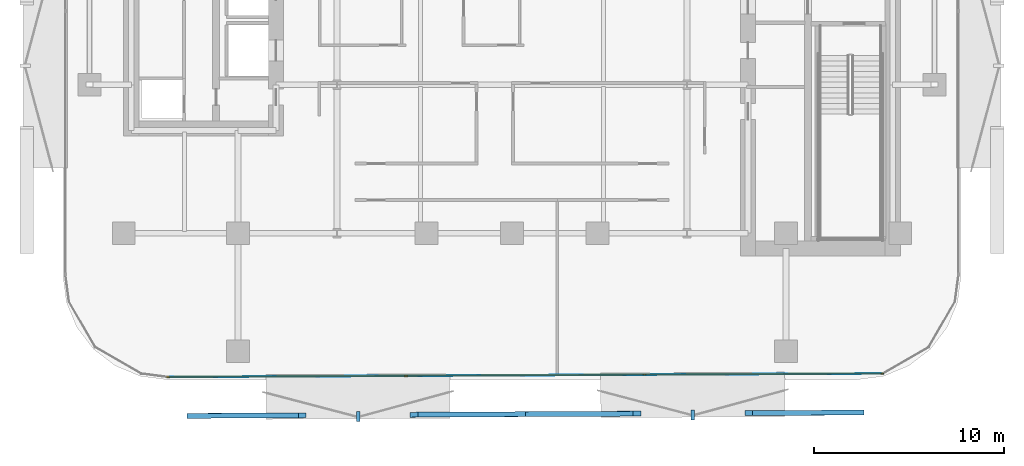
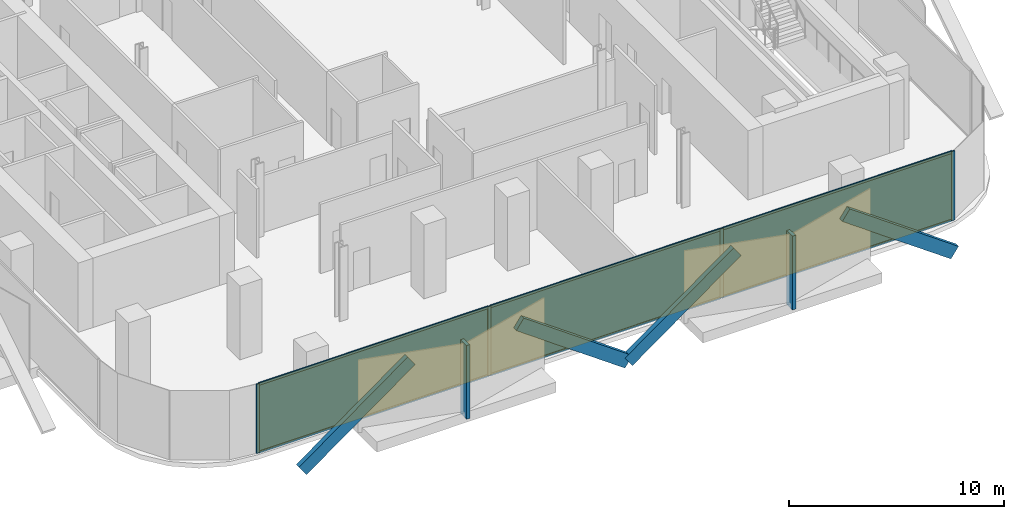
# One storey, part 7 of 15: 16 members, 3 plates, 1 curtain wall.
"""IFC4 building model written with IfcOpenShell, lengths in metres."""

from ifc_helpers import new_model, si_unit, direction, frame, frame_2d, origin, origin_2d, place, context, subcontext, project, spatial, rectangle, extrude, material, layer, layer_set, material_profile, profile_set, type_object, element, aggregate, save


model = new_model("IFC4")

# Units and contexts
model_context = context("Model", 3, precision=1e-05, world=origin(), true_north=direction((0.0, 1.0)))
body_context = subcontext(model_context, "Body", "Model", "MODEL_VIEW")
ifc_project = project(units=[si_unit("LENGTHUNIT", "METRE"), si_unit("AREAUNIT", "SQUARE_METRE"), si_unit("VOLUMEUNIT", "CUBIC_METRE"), si_unit("PLANEANGLEUNIT", "RADIAN"), si_unit("MASSUNIT", "GRAM", prefix="KILO")], contexts=[model_context])

# Member
ifc_material_1 = material(Name="Anodised Bronze Aluminium 6063-T6", Category="aluminium")
ifc_material_profile_1 = material_profile(ifc_material_1, rectangle(XDim=0.260009765625, YDim=0.699951171875, at=origin_2d()))
ifc_profile_set_1 = profile_set([ifc_material_profile_1], Name="Anodised Bronze Aluminium 6063-T6")
member_type_1 = type_object("IfcMemberType", Name="Bronze Diamond Solar-Screen Lattice Rib BDL-700", PredefinedType="MULLION", material=ifc_profile_set_1)
site_placement = place(None, origin())
building_placement = place(site_placement, origin())
storey_placement = place(building_placement, frame((0.0, 0.0, 105.800048828125)))
member_1_placement = place(storey_placement, frame((18.297119140625, -28.02197265625, -0.130126953125), z_axis=(-0.812918815383, -0.003994354371, 0.582363327081), x_axis=(-0.0077593961, 0.99996200398, -0.00397270291)))
member_1 = element("IfcMember", 1, at=member_1_placement, type_object=member_type_1, Name="L24 Bronze Diamond Solar Screen Lattice Rib 137A", PredefinedType="MULLION", context=body_context, shape_type="SweptSolid", body=[
    extrude(rectangle(XDim=0.260009765625, YDim=0.699951171875, at=origin_2d()), origin(), (0.0, 0.0, 1.0), 7.21240234375),
])

member_2_placement = place(storey_placement, frame((0.7080078125, -28.108154296875, -0.130126953125), z_axis=(0.812918815383, 0.003994354371, 0.582363327081), x_axis=(0.0077593961, -0.99996200398, -0.00397270291)))
member_2 = element("IfcMember", 2, at=member_2_placement, type_object=member_type_1, Name="L24 Bronze Diamond Solar Screen Lattice Rib 137B", PredefinedType="MULLION", context=body_context, shape_type="SweptSolid", body=[
    extrude(rectangle(XDim=0.260009765625, YDim=0.699951171875, at=origin_2d()), origin(), (0.0, 0.0, 1.0), 7.21240234375),
])

member_3_placement = place(storey_placement, frame((0.7080078125, -28.108154296875, -0.130126953125), z_axis=(-0.81290744354, -0.003960613429, 0.582379431109), x_axis=(-0.007718039596, 0.999962324262, -0.003972646531)))
member_3 = element("IfcMember", 3, at=member_3_placement, type_object=member_type_1, Name="L24 Bronze Diamond Solar Screen Lattice Rib 138A", PredefinedType="MULLION", context=body_context, shape_type="SweptSolid", body=[
    extrude(rectangle(XDim=0.260009765625, YDim=0.699951171875, at=origin_2d()), origin(), (0.0, 0.0, 1.0), 7.212158203125),
])

member_4_placement = place(storey_placement, frame((-16.880859375, -28.194091796875, -0.130126953125), z_axis=(0.812918815383, 0.003994354371, 0.582363327081), x_axis=(0.0077593961, -0.99996200398, -0.00397270291)))
member_4 = element("IfcMember", 4, at=member_4_placement, type_object=member_type_1, Name="L24 Bronze Diamond Solar Screen Lattice Rib 138B", PredefinedType="MULLION", context=body_context, shape_type="SweptSolid", body=[
    extrude(rectangle(XDim=0.260009765625, YDim=0.699951171875, at=origin_2d()), origin(), (0.0, 0.0, 1.0), 7.21240234375),
])

ifc_material_2 = material(Name="Anodised Bronze Aluminium 6063-T6", Category="aluminium")
ifc_material_profile_2 = material_profile(ifc_material_2, rectangle(XDim=0.179931640625, YDim=0.5400390625, at=origin_2d()))
ifc_profile_set_2 = profile_set([ifc_material_profile_2], Name="Anodised Bronze Aluminium 6063-T6")
member_type_2 = type_object("IfcMemberType", Name="Bronze Solar-Screen Vertical Fold Fin BSF-540", PredefinedType="MULLION", material=ifc_profile_set_2)
member_5_placement = place(storey_placement, frame((9.5029296875, -28.14501953125, -0.130126953125), z_axis=(0.0, 0.0, 1.0), x_axis=(-0.999988059021, -0.004886902454, 0.0)))
member_5 = element("IfcMember", 5, at=member_5_placement, type_object=member_type_2, Name="L24 Bronze Solar Screen Vertical Fin 137", PredefinedType="MULLION", context=body_context, shape_type="SweptSolid", body=[
    extrude(rectangle(XDim=0.179931640625, YDim=0.5400390625, at=origin_2d()), origin(), (0.0, 0.0, 1.0), 4.2001953125),
])

member_6_placement = place(storey_placement, frame((-8.0859375, -28.231201171875, -0.130126953125), z_axis=(0.0, 0.0, 1.0), x_axis=(-0.999988059021, -0.004886902454, 0.0)))
member_6 = element("IfcMember", 6, at=member_6_placement, type_object=member_type_2, Name="L24 Bronze Solar Screen Vertical Fin 138", PredefinedType="MULLION", context=body_context, shape_type="SweptSolid", body=[
    extrude(rectangle(XDim=0.179931640625, YDim=0.5400390625, at=origin_2d()), origin(), (0.0, 0.0, 1.0), 4.2001953125),
])

ifc_material_3 = material(Name="Anodised Bronze Aluminium 6063-T6", Category="aluminium")
ifc_material_profile_3 = material_profile(ifc_material_3, rectangle(XDim=0.06494140625, YDim=0.175048828125, at=origin_2d()))
ifc_profile_set_3 = profile_set([ifc_material_profile_3], Name="Anodised Bronze Aluminium 6063-T6")
member_type_3 = type_object("IfcMemberType", Name="CW-Z2 Mullion 65x175", PredefinedType="MULLION", material=ifc_profile_set_3)
member_7_placement = place(storey_placement, frame((19.45458984375, -25.976318359375, 0.0), z_axis=(0.0, 0.0, 1.0), x_axis=(0.004891127252, -0.999988038366, 0.0)))
member_7 = element("IfcMember", 7, at=member_7_placement, type_object=member_type_3, Name="CW-Z2 mullion 1", PredefinedType="MULLION", context=body_context, shape_type="SweptSolid", body=[
    extrude(rectangle(XDim=0.06494140625, YDim=0.175048828125, at=origin_2d()), origin(), (0.0, 0.0, 1.0), 3.93994140625),
])

member_8_placement = place(storey_placement, frame((6.961181640625, -26.037353515625, 0.0), z_axis=(0.0, 0.0, 1.0), x_axis=(0.004891127252, -0.999988038366, 0.0)))
member_8 = element("IfcMember", 8, at=member_8_placement, type_object=member_type_3, Name="CW-Z2 mullion 2", PredefinedType="MULLION", context=body_context, shape_type="SweptSolid", body=[
    extrude(rectangle(XDim=0.06494140625, YDim=0.175048828125, at=origin_2d()), origin(), (0.0, 0.0, 1.0), 3.93994140625),
])

member_9_placement = place(storey_placement, frame((-5.56494140625, -26.0986328125, 0.0), z_axis=(0.0, 0.0, 1.0), x_axis=(0.004891127252, -0.999988038366, 0.0)))
member_9 = element("IfcMember", 9, at=member_9_placement, type_object=member_type_3, Name="CW-Z2 mullion 3", PredefinedType="MULLION", context=body_context, shape_type="SweptSolid", body=[
    extrude(rectangle(XDim=0.06494140625, YDim=0.175048828125, at=origin_2d()), origin(), (0.0, 0.0, 1.0), 3.93994140625),
])

member_10_placement = place(storey_placement, frame((-18.058349609375, -26.159912109375, 0.0), z_axis=(0.0, 0.0, 1.0), x_axis=(0.004891127252, -0.999988038366, 0.0)))
member_10 = element("IfcMember", 10, at=member_10_placement, type_object=member_type_3, Name="CW-Z2 mullion 4", PredefinedType="MULLION", context=body_context, shape_type="SweptSolid", body=[
    extrude(rectangle(XDim=0.06494140625, YDim=0.175048828125, at=origin_2d()), origin(), (0.0, 0.0, 1.0), 3.93994140625),
])

ifc_material_4 = material(Name="Anodised Bronze Aluminium 6063-T6", Category="aluminium")
ifc_material_profile_4 = material_profile(ifc_material_4, rectangle(XDim=0.06494140625, YDim=0.135009765625, at=origin_2d()))
ifc_profile_set_4 = profile_set([ifc_material_profile_4], Name="Anodised Bronze Aluminium 6063-T6")
member_type_4 = type_object("IfcMemberType", Name="CW-Z2 Transom 65x135", PredefinedType="USERDEFINED", material=ifc_profile_set_4)
member_11_placement = place(storey_placement, frame((19.422119140625, -25.9765625, 0.032470703125), z_axis=(-0.999988037942, -0.00489121381, 0.0), x_axis=(0.00489121381, -0.999988037942, 0.0)))
member_11 = element("IfcMember", 11, at=member_11_placement, type_object=member_type_4, Name="CW-Z2 transom 1.1", ObjectType="TRANSOM", PredefinedType="USERDEFINED", context=body_context, shape_type="SweptSolid", body=[
    extrude(rectangle(XDim=0.06494140625, YDim=0.135009765625, at=origin_2d()), origin(), (0.0, 0.0, 1.0), 12.4287109375),
])

member_12_placement = place(storey_placement, frame((19.422119140625, -25.9765625, 3.907470703125), z_axis=(-0.999988037942, -0.00489121381, 0.0), x_axis=(0.00489121381, -0.999988037942, 0.0)))
member_12 = element("IfcMember", 12, at=member_12_placement, type_object=member_type_4, Name="CW-Z2 transom 1.2", ObjectType="TRANSOM", PredefinedType="USERDEFINED", context=body_context, shape_type="SweptSolid", body=[
    extrude(rectangle(XDim=0.06494140625, YDim=0.135009765625, at=origin_2d()), origin(), (0.0, 0.0, 1.0), 12.4287109375),
])

member_13_placement = place(storey_placement, frame((6.928466796875, -26.03759765625, 0.032470703125), z_axis=(-0.99998800443, -0.004898060367, 0.0), x_axis=(0.004898060367, -0.99998800443, 0.0)))
member_13 = element("IfcMember", 13, at=member_13_placement, type_object=member_type_4, Name="CW-Z2 transom 2.1", ObjectType="TRANSOM", PredefinedType="USERDEFINED", context=body_context, shape_type="SweptSolid", body=[
    extrude(rectangle(XDim=0.06494140625, YDim=0.135009765625, at=origin_2d()), origin(), (0.0, 0.0, 1.0), 12.461181640625),
])

member_14_placement = place(storey_placement, frame((6.928466796875, -26.03759765625, 3.907470703125), z_axis=(-0.99998800443, -0.004898060367, 0.0), x_axis=(0.004898060367, -0.99998800443, 0.0)))
member_14 = element("IfcMember", 14, at=member_14_placement, type_object=member_type_4, Name="CW-Z2 transom 2.2", ObjectType="TRANSOM", PredefinedType="USERDEFINED", context=body_context, shape_type="SweptSolid", body=[
    extrude(rectangle(XDim=0.06494140625, YDim=0.135009765625, at=origin_2d()), origin(), (0.0, 0.0, 1.0), 12.461181640625),
])

member_15_placement = place(storey_placement, frame((-5.597412109375, -26.098876953125, 0.032470703125), z_axis=(-0.999988037942, -0.00489121381, 0.0), x_axis=(0.00489121381, -0.999988037942, 0.0)))
member_15 = element("IfcMember", 15, at=member_15_placement, type_object=member_type_4, Name="CW-Z2 transom 3.1", ObjectType="TRANSOM", PredefinedType="USERDEFINED", context=body_context, shape_type="SweptSolid", body=[
    extrude(rectangle(XDim=0.06494140625, YDim=0.135009765625, at=origin_2d()), origin(), (0.0, 0.0, 1.0), 12.4287109375),
])

member_16_placement = place(storey_placement, frame((-5.597412109375, -26.098876953125, 3.907470703125), z_axis=(-0.999988037942, -0.00489121381, 0.0), x_axis=(0.00489121381, -0.999988037942, 0.0)))
member_16 = element("IfcMember", 16, at=member_16_placement, type_object=member_type_4, Name="CW-Z2 transom 3.2", ObjectType="TRANSOM", PredefinedType="USERDEFINED", context=body_context, shape_type="SweptSolid", body=[
    extrude(rectangle(XDim=0.06494140625, YDim=0.135009765625, at=origin_2d()), origin(), (0.0, 0.0, 1.0), 12.4287109375),
])

# Plate
ifc_material_5 = material(Name="Low-E Solar Control Laminated Glass", Category="glass")
ifc_layer_1 = layer(ifc_material_5, 0.028076171875, Name="Low-E Solar Control Laminated Glass")
ifc_layer_set_1 = layer_set([ifc_layer_1], Name="Low-E Solar Control Laminated Glass")
plate_type = type_object("IfcPlateType", Name="CW-Z2 Low-E Double Glazed Panel 28mm", PredefinedType="CURTAIN_PANEL", material=ifc_layer_set_1)
plate_1_placement = place(storey_placement, frame((13.207763671875, -26.0068359375, 0.06494140625), z_axis=(0.0, 0.0, 1.0), x_axis=(-0.999988038366, -0.004891127252, 0.0)))
plate_1 = element("IfcPlate", 17, at=plate_1_placement, type_object=plate_type, Name="CW-Z2 panel 1.1", PredefinedType="CURTAIN_PANEL", context=body_context, shape_type="SweptSolid", body=[
    extrude(rectangle(XDim=12.428466796875, YDim=0.028076171875, at=origin_2d()), origin(), (0.0, 0.0, 1.0), 3.81005859375),
])

plate_2_placement = place(storey_placement, frame((0.697998046875, -26.068115234375, 0.06494140625), z_axis=(0.0, 0.0, 1.0), x_axis=(-0.999988038366, -0.004891127252, 0.0)))
plate_2 = element("IfcPlate", 18, at=plate_2_placement, type_object=plate_type, Name="CW-Z2 panel 2.1", PredefinedType="CURTAIN_PANEL", context=body_context, shape_type="SweptSolid", body=[
    extrude(rectangle(XDim=12.461181640625, YDim=0.028076171875, at=origin_2d()), origin(), (0.0, 0.0, 1.0), 3.81005859375),
])

plate_3_placement = place(storey_placement, frame((-11.8115234375, -26.12939453125, 0.06494140625), z_axis=(0.0, 0.0, 1.0), x_axis=(-0.999988038366, -0.004891127252, 0.0)))
plate_3 = element("IfcPlate", 19, at=plate_3_placement, type_object=plate_type, Name="CW-Z2 panel 3.1", PredefinedType="CURTAIN_PANEL", context=body_context, shape_type="SweptSolid", body=[
    extrude(rectangle(XDim=12.428466796875, YDim=0.028076171875, at=origin_2d()), origin(), (0.0, 0.0, 1.0), 3.81005859375),
])

# Site, building, storey
site = spatial("IfcSite", under=ifc_project, at=site_placement, CompositionType="ELEMENT")
building = spatial("IfcBuilding", under=site, at=building_placement, Name="Khairoan Windgate Tower", CompositionType="ELEMENT")
storey = spatial("IfcBuildingStorey", under=building, at=storey_placement, Name="L24", CompositionType="ELEMENT", Elevation=105.800048828125)

# Curtain wall
ifc_material_6 = material(Name="Anodised Bronze Aluminium 6063-T6", Category="aluminium")
ifc_layer_2 = layer(ifc_material_6, 0.175048828125, Name="Anodised Bronze Aluminium 6063-T6")
ifc_layer_set_2 = layer_set([ifc_layer_2], Name="Anodised Bronze Aluminium 6063-T6")
curtain_wall_type = type_object("IfcCurtainWallType", Name="Mid-Rise Office Unitised Curtain Wall CW-Z2", PredefinedType="NOTDEFINED", material=ifc_layer_set_2)
curtain_wall_placement = place(storey_placement, frame((19.487060546875, -25.976318359375, 0.0), z_axis=(0.0, 0.0, 1.0), x_axis=(-0.999988065247, -0.004885628318, 0.0)))
curtain_wall = element("IfcCurtainWall", 20, at=curtain_wall_placement, inside=storey, type_object=curtain_wall_type, Name="L24 Unitised Curtain Wall 1", PredefinedType="NOTDEFINED", context=body_context, shape_type="SweptSolid", body=[
    extrude(rectangle(XDim=37.578369140625, YDim=0.010009765625, at=frame_2d((18.7890625, 0.0))), origin(), (0.0, 0.0, 1.0), 3.93994140625),
])

aggregate(curtain_wall, [member_7, member_8, member_9, member_10, member_11, member_12, plate_1, member_13, member_14, plate_2, member_15, member_16, plate_3, member_1, member_2, member_5, member_3, member_4, member_6])

save(model, "model.ifc")
